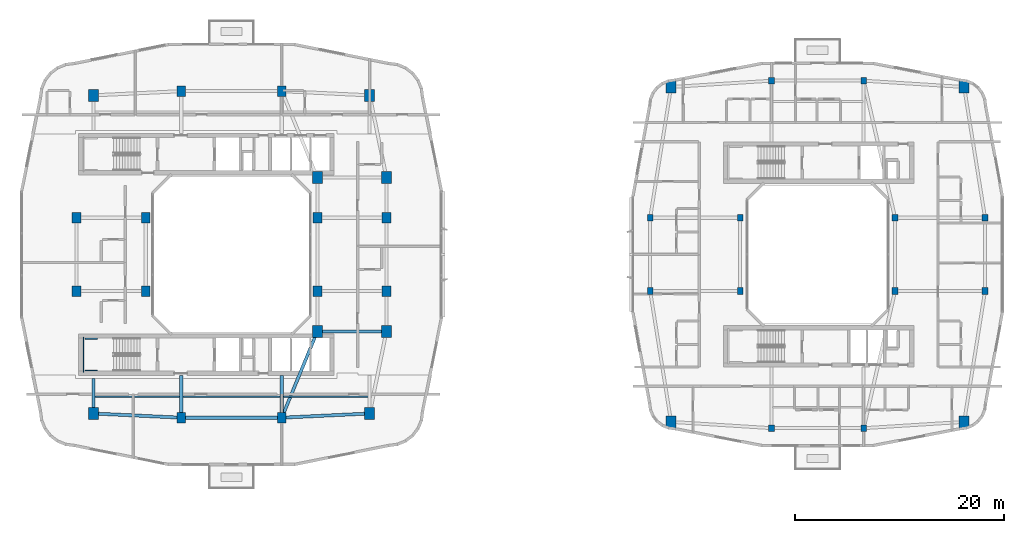
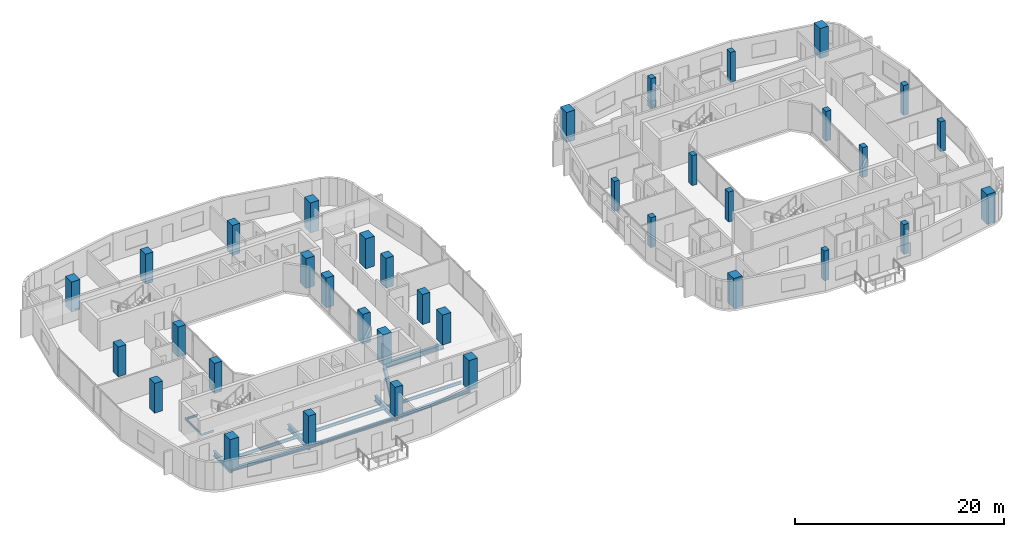
# One storey, part 1 of 22: 36 columns, 14 beams.
"""IFC4 building model written with IfcOpenShell, lengths in metres."""

from ifc_helpers import new_model, si_unit, derived_unit, direction, frame, origin, origin_2d, place, context, subcontext, project, spatial, rectangle, i_section, extrude, material, material_profile, profile_set, type_object, element, save


model = new_model("IFC4")

# Units and contexts
model_context = context("Model", 3, precision=1e-05, world=origin(), true_north=direction((0.0, 1.0)))
body_context = subcontext(model_context, "Body", "Model", "MODEL_VIEW")
ifc_project = project(units=[si_unit("LENGTHUNIT", "METRE"), si_unit("AREAUNIT", "SQUARE_METRE"), si_unit("VOLUMEUNIT", "CUBIC_METRE"), si_unit("PLANEANGLEUNIT", "RADIAN"), si_unit("MASSUNIT", "GRAM", prefix="KILO"), derived_unit("THERMALTRANSMITTANCEUNIT", [(si_unit("POWERUNIT", "WATT"), 1), (si_unit("LENGTHUNIT", "METRE"), -2), (si_unit("THERMODYNAMICTEMPERATUREUNIT", "KELVIN"), -1)])], contexts=[model_context])

# Site, building, storey
site_placement = place(None, origin())
site = spatial("IfcSite", under=ifc_project, at=site_placement, CompositionType="ELEMENT")
building_placement = place(site_placement, origin())
building = spatial("IfcBuilding", under=site, at=building_placement, Name="Kivonza Crest Hotel", CompositionType="ELEMENT")
storey_placement = place(building_placement, frame((0.0, 0.0, 112.5)))
storey = spatial("IfcBuildingStorey", under=building, at=storey_placement, Name="L30", CompositionType="ELEMENT", Elevation=112.5)

# Columns
ifc_material_1 = material(Name="Concrete C50/60", Category="concrete")
ifc_material_profile_1 = material_profile(ifc_material_1, rectangle(XDim=0.85009765625, YDim=1.0, at=origin_2d()), Name="RC 1000x850")
ifc_profile_set_1 = profile_set([ifc_material_profile_1], Name="Concrete C50/60")
column_type_1 = type_object("IfcColumnType", Name="CL-RC-1000x850", PredefinedType="COLUMN", material=ifc_profile_set_1)
for number, where, z_axis, x_axis, name in (
    (1, (16.199951171875, 9.39990234375, 0.0), (0.0, 0.0, 1.0), (1.0, 0.0, 0.0), "Tower T1 L30 column S1"),
    (2, (25.800048828125, 9.39990234375, 0.0), (0.0, 0.0, 1.0), (1.0, 0.0, 0.0), "Tower T1 L30 column S2"),
    (3, (16.199951171875, 40.60009765625, 0.0), (0.0, 0.0, 1.0), (1.0, 0.0, 0.0), "Tower T1 L30 column N1"),
    (4, (25.800048828125, 40.60009765625, 0.0), (0.0, 0.0, 1.0), (1.0, 0.0, 0.0), "Tower T1 L30 column N2"),
    (5, (6.199951171875, 21.5, 0.0), (0.0, 0.0, 1.0), (1.0, 0.0, 0.0), "Tower T1 L30 column W1"),
    (6, (6.199951171875, 28.5, 0.0), (0.0, 0.0, 1.0), (1.0, 0.0, 0.0), "Tower T1 L30 column W2"),
    (7, (35.800048828125, 21.5, 0.0), (0.0, 0.0, 1.0), (1.0, 0.0, 0.0), "Tower T1 L30 column E1"),
    (8, (35.800048828125, 28.5, 0.0), (0.0, 0.0, 1.0), (1.0, 0.0, 0.0), "Tower T1 L30 column E2"),
    (9, (12.800048828125, 21.5, 0.0), (0.0, 0.0, 1.0), (1.0, 0.0, 0.0), "Tower T1 L30 column WL1"),
    (10, (12.800048828125, 28.5, 0.0), (0.0, 0.0, 1.0), (1.0, 0.0, 0.0), "Tower T1 L30 column WL2"),
    (11, (29.199951171875, 21.5, 0.0), (0.0, 0.0, 1.0), (1.0, 0.0, 0.0), "Tower T1 L30 column WR1"),
    (12, (29.199951171875, 28.5, 0.0), (0.0, 0.0, 1.0), (1.0, 0.0, 0.0), "Tower T1 L30 column WR2"),
):
    element("IfcColumn", number, at=place(storey_placement, frame(where, z_axis=z_axis, x_axis=x_axis)), inside=storey, type_object=column_type_1, Name=name, PredefinedType="COLUMN", context=body_context, shape_type="SweptSolid", body=[
        extrude(rectangle(XDim=0.85009765625, YDim=1.0, at=origin_2d()), origin(), (0.0, 0.0, 1.0), 3.5),
    ])
ifc_material_2 = material(Name="Concrete C60/75", Category="concrete")
ifc_material_profile_2 = material_profile(ifc_material_2, rectangle(XDim=0.949951171875, YDim=1.14990234375, at=origin_2d()), Name="RC 1150x950")
ifc_profile_set_2 = profile_set([ifc_material_profile_2], Name="Concrete C60/75")
column_type_2 = type_object("IfcColumnType", Name="CL-RC-1150x950", PredefinedType="COLUMN", material=ifc_profile_set_2)
for number, where, z_axis, x_axis, name in (
    (13, (7.800048828125, 9.800048828125, 0.0), (0.0, 0.0, 1.0), (1.0, 0.0, 0.0), "Tower T1 L30 column SW"),
    (14, (34.199951171875, 9.800048828125, 0.0), (0.0, 0.0, 1.0), (1.0, 0.0, 0.0), "Tower T1 L30 column SE"),
    (15, (34.199951171875, 40.199951171875, 0.0), (0.0, 0.0, 1.0), (1.0, 0.0, 0.0), "Tower T1 L30 column NE"),
    (16, (7.800048828125, 40.199951171875, 0.0), (0.0, 0.0, 1.0), (1.0, 0.0, 0.0), "Tower T1 L30 column NW"),
    (17, (35.800048828125, 17.64990234375, 0.0), (0.0, 0.0, 1.0), (1.0, 0.0, 0.0), "Tower T1 L30 column PSE"),
    (18, (35.800048828125, 32.35009765625, 0.0), (0.0, 0.0, 1.0), (1.0, 0.0, 0.0), "Tower T1 L30 column PNE"),
    (19, (29.199951171875, 17.64990234375, 0.0), (0.0, 0.0, 1.0), (1.0, 0.0, 0.0), "Tower T1 L30 column TSE"),
    (20, (29.199951171875, 32.35009765625, 0.0), (0.0, 0.0, 1.0), (1.0, 0.0, 0.0), "Tower T1 L30 column TNE"),
    (21, (63.0, 9.0, 0.0), (0.0, 0.0, 1.0), (1.0, 0.0, 0.0), "Companion Tower T2 L30 column SW"),
    (22, (91.0, 9.0, 0.0), (0.0, 0.0, 1.0), (1.0, 0.0, 0.0), "Companion Tower T2 L30 column SE"),
    (23, (91.0, 41.0, 0.0), (0.0, 0.0, 1.0), (1.0, 0.0, 0.0), "Companion Tower T2 L30 column NE"),
    (24, (63.0, 41.0, 0.0), (0.0, 0.0, 1.0), (1.0, 0.0, 0.0), "Companion Tower T2 L30 column NW"),
):
    element("IfcColumn", number, at=place(storey_placement, frame(where, z_axis=z_axis, x_axis=x_axis)), inside=storey, type_object=column_type_2, Name=name, PredefinedType="COLUMN", context=body_context, shape_type="SweptSolid", body=[
        extrude(rectangle(XDim=0.949951171875, YDim=1.14990234375, at=origin_2d()), origin(), (0.0, 0.0, 1.0), 3.5),
    ])
ifc_material_profile_3 = material_profile(ifc_material_1, rectangle(XDim=0.550048828125, YDim=0.64990234375, at=origin_2d()), Name="RC 650x550")
ifc_profile_set_3 = profile_set([ifc_material_profile_3], Name="Concrete C50/60")
column_type_3 = type_object("IfcColumnType", Name="CL-RC-650x550", PredefinedType="COLUMN", material=ifc_profile_set_3)
for number, where, z_axis, x_axis, name in (
    (25, (72.60009765625, 8.39990234375, 0.0), (0.0, 0.0, 1.0), (1.0, 0.0, 0.0), "Companion Tower T2 L30 column S1"),
    (26, (81.39990234375, 8.39990234375, 0.0), (0.0, 0.0, 1.0), (1.0, 0.0, 0.0), "Companion Tower T2 L30 column S2"),
    (27, (72.60009765625, 41.60009765625, 0.0), (0.0, 0.0, 1.0), (1.0, 0.0, 0.0), "Companion Tower T2 L30 column N1"),
    (28, (81.39990234375, 41.60009765625, 0.0), (0.0, 0.0, 1.0), (1.0, 0.0, 0.0), "Companion Tower T2 L30 column N2"),
    (29, (61.0, 21.5, 0.0), (0.0, 0.0, 1.0), (1.0, 0.0, 0.0), "Companion Tower T2 L30 column W1"),
    (30, (61.0, 28.5, 0.0), (0.0, 0.0, 1.0), (1.0, 0.0, 0.0), "Companion Tower T2 L30 column W2"),
    (31, (93.0, 21.5, 0.0), (0.0, 0.0, 1.0), (1.0, 0.0, 0.0), "Companion Tower T2 L30 column E1"),
    (32, (93.0, 28.5, 0.0), (0.0, 0.0, 1.0), (1.0, 0.0, 0.0), "Companion Tower T2 L30 column E2"),
    (33, (69.60009765625, 21.5, 0.0), (0.0, 0.0, 1.0), (1.0, 0.0, 0.0), "Companion Tower T2 L30 column WL1"),
    (34, (69.60009765625, 28.5, 0.0), (0.0, 0.0, 1.0), (1.0, 0.0, 0.0), "Companion Tower T2 L30 column WL2"),
    (35, (84.39990234375, 21.5, 0.0), (0.0, 0.0, 1.0), (1.0, 0.0, 0.0), "Companion Tower T2 L30 column WR1"),
    (36, (84.39990234375, 28.5, 0.0), (0.0, 0.0, 1.0), (1.0, 0.0, 0.0), "Companion Tower T2 L30 column WR2"),
):
    element("IfcColumn", number, at=place(storey_placement, frame(where, z_axis=z_axis, x_axis=x_axis)), inside=storey, type_object=column_type_3, Name=name, PredefinedType="COLUMN", context=body_context, shape_type="SweptSolid", body=[
        extrude(rectangle(XDim=0.550048828125, YDim=0.64990234375, at=origin_2d()), origin(), (0.0, 0.0, 1.0), 3.5),
    ])

# Beams
ifc_material_3 = material(Name="Steel S355", Category="steel")
ifc_material_profile_4 = material_profile(ifc_material_3, i_section(OverallWidth=0.300048828125, OverallDepth=0.360107421875, WebThickness=0.012451171875, FlangeThickness=0.0224609375, FilletRadius=0.027099609375, at=origin_2d()), Name="HEB 360")
ifc_profile_set_4 = profile_set([ifc_material_profile_4], Name="Steel S355")
beam_type_1 = type_object("IfcBeamType", Name="BM-HEB360", PredefinedType="SPANDREL", material=ifc_profile_set_4)
beam_1_placement = place(storey_placement, frame((16.199951171875, 9.39990234375, -0.4599609375), z_axis=(1.0, 0.0, 0.0), x_axis=(0.0, 1.0, 0.0)))
element("IfcBeam", 37, at=beam_1_placement, inside=storey, type_object=beam_type_1, Name="Tower T1 L30 perimeter spandrel S1-S2", PredefinedType="SPANDREL", context=body_context, shape_type="SweptSolid", body=[
    extrude(i_section(OverallWidth=0.300048828125, OverallDepth=0.360107421875, WebThickness=0.012451171875, FlangeThickness=0.0224609375, FilletRadius=0.027099609375, at=origin_2d()), origin(), (0.0, 0.0, 1.0), 9.60009765625),
])
for number, where, z_axis, x_axis, name in (
    (38, (25.800048828125, 9.39990234375, -0.4599609375), (0.998867283688, 0.047583080799, 0.0), (-0.047583080799, 0.998867283688, 0.0), "Tower T1 L30 perimeter spandrel S2-SE"),
    (39, (7.800048828125, 9.800048828125, -0.4599609375), (0.998867283688, -0.047583080799, 0.0), (0.047583080799, 0.998867283688, 0.0), "Tower T1 L30 perimeter spandrel SW-S1"),
):
    element("IfcBeam", number, at=place(storey_placement, frame(where, z_axis=z_axis, x_axis=x_axis)), inside=storey, type_object=beam_type_1, Name=name, PredefinedType="SPANDREL", context=body_context, shape_type="SweptSolid", body=[
        extrude(i_section(OverallWidth=0.300048828125, OverallDepth=0.360107421875, WebThickness=0.012451171875, FlangeThickness=0.0224609375, FilletRadius=0.027099609375, at=origin_2d()), origin(), (0.0, 0.0, 1.0), 8.409423828125),
    ])
ifc_material_profile_5 = material_profile(ifc_material_3, i_section(OverallWidth=0.300048828125, OverallDepth=0.60009765625, WebThickness=0.015380859375, FlangeThickness=0.030029296875, FilletRadius=0.027099609375, at=origin_2d()), Name="HEB 600")
ifc_profile_set_5 = profile_set([ifc_material_profile_5], Name="Steel S355")
beam_type_2 = type_object("IfcBeamType", Name="BM-HEB600", PredefinedType="BEAM", material=ifc_profile_set_5)
beam_2_placement = place(storey_placement, frame((25.800048828125, 9.39990234375, -0.580078125), z_axis=(0.381022260404, 0.924565864109, 0.0), x_axis=(-0.924565864109, 0.381022260404, 0.0)))
element("IfcBeam", 40, at=beam_2_placement, inside=storey, type_object=beam_type_2, Name="Tower T1 L30 primary girder S1-TSE", PredefinedType="BEAM", context=body_context, shape_type="SweptSolid", body=[
    extrude(i_section(OverallWidth=0.300048828125, OverallDepth=0.60009765625, WebThickness=0.015380859375, FlangeThickness=0.030029296875, FilletRadius=0.027099609375, at=origin_2d()), origin(), (0.0, 0.0, 1.0), 8.923095703125),
])
beam_3_placement = place(storey_placement, frame((29.199951171875, 17.64990234375, -0.580078125), z_axis=(1.0, 0.0, 0.0), x_axis=(0.0, 1.0, 0.0)))
element("IfcBeam", 41, at=beam_3_placement, inside=storey, type_object=beam_type_2, Name="Tower T1 L30 primary girder TSE-PSE", PredefinedType="BEAM", context=body_context, shape_type="SweptSolid", body=[
    extrude(i_section(OverallWidth=0.300048828125, OverallDepth=0.60009765625, WebThickness=0.015380859375, FlangeThickness=0.030029296875, FilletRadius=0.027099609375, at=origin_2d()), origin(), (0.0, 0.0, 1.0), 6.60009765625),
])
beam_4_placement = place(storey_placement, frame((7.800048828125, 9.800048828125, -0.580078125), z_axis=(0.0, 1.0, 0.0), x_axis=(-1.0, 0.0, 0.0)))
element("IfcBeam", 42, at=beam_4_placement, inside=storey, type_object=beam_type_2, Name="Tower T1 L30 radial core girder RSW", PredefinedType="BEAM", context=body_context, shape_type="SweptSolid", body=[
    extrude(i_section(OverallWidth=0.300048828125, OverallDepth=0.60009765625, WebThickness=0.015380859375, FlangeThickness=0.030029296875, FilletRadius=0.027099609375, at=origin_2d()), origin(), (0.0, 0.0, 1.0), 3.349853515625),
])
for number, where, z_axis, x_axis, name in (
    (43, (16.199951171875, 9.39990234375, -0.580078125), (0.0, 1.0, 0.0), (-1.0, 0.0, 0.0), "Tower T1 L30 radial core girder RS1"),
    (44, (25.800048828125, 9.39990234375, -0.580078125), (0.0, 1.0, 0.0), (-1.0, 0.0, 0.0), "Tower T1 L30 radial core girder RS2"),
):
    element("IfcBeam", number, at=place(storey_placement, frame(where, z_axis=z_axis, x_axis=x_axis)), inside=storey, type_object=beam_type_2, Name=name, PredefinedType="BEAM", context=body_context, shape_type="SweptSolid", body=[
        extrude(i_section(OverallWidth=0.300048828125, OverallDepth=0.60009765625, WebThickness=0.015380859375, FlangeThickness=0.030029296875, FilletRadius=0.027099609375, at=origin_2d()), origin(), (0.0, 0.0, 1.0), 4.050048828125),
    ])
ifc_material_profile_6 = material_profile(ifc_material_3, i_section(OverallWidth=0.169921875, OverallDepth=0.360107421875, WebThickness=0.008056640625, FlangeThickness=0.0126953125, FilletRadius=0.01806640625, at=origin_2d()), Name="IPE 360")
ifc_profile_set_6 = profile_set([ifc_material_profile_6], Name="Steel S355")
beam_type_3 = type_object("IfcBeamType", Name="BM-IPE360", PredefinedType="JOIST", material=ifc_profile_set_6)
beam_5_placement = place(storey_placement, frame((7.8798828125, 11.39990234375, -0.4599609375), z_axis=(1.0, 0.0, 0.0), x_axis=(0.0, 1.0, 0.0)))
element("IfcBeam", 45, at=beam_5_placement, inside=storey, type_object=beam_type_3, Name="Tower T1 L30 South-West floor joist", PredefinedType="JOIST", context=body_context, shape_type="SweptSolid", body=[
    extrude(i_section(OverallWidth=0.169921875, OverallDepth=0.360107421875, WebThickness=0.008056640625, FlangeThickness=0.0126953125, FilletRadius=0.01806640625, at=origin_2d()), origin(), (0.0, 0.0, 1.0), 8.240234375),
])
beam_6_placement = place(storey_placement, frame((16.280029296875, 11.39990234375, -0.4599609375), z_axis=(1.0, 0.0, 0.0), x_axis=(0.0, 1.0, 0.0)))
element("IfcBeam", 46, at=beam_6_placement, inside=storey, type_object=beam_type_3, Name="Tower T1 L30 South-Mid floor joist", PredefinedType="JOIST", context=body_context, shape_type="SweptSolid", body=[
    extrude(i_section(OverallWidth=0.169921875, OverallDepth=0.360107421875, WebThickness=0.008056640625, FlangeThickness=0.0126953125, FilletRadius=0.01806640625, at=origin_2d()), origin(), (0.0, 0.0, 1.0), 9.43994140625),
])
beam_7_placement = place(storey_placement, frame((25.8798828125, 11.39990234375, -0.4599609375), z_axis=(1.0, 0.0, 0.0), x_axis=(0.0, 1.0, 0.0)))
element("IfcBeam", 47, at=beam_7_placement, inside=storey, type_object=beam_type_3, Name="Tower T1 L30 South-East floor joist", PredefinedType="JOIST", context=body_context, shape_type="SweptSolid", body=[
    extrude(i_section(OverallWidth=0.169921875, OverallDepth=0.360107421875, WebThickness=0.008056640625, FlangeThickness=0.0126953125, FilletRadius=0.01806640625, at=origin_2d()), origin(), (0.0, 0.0, 1.0), 8.240234375),
])
ifc_material_profile_7 = material_profile(ifc_material_3, i_section(OverallWidth=0.1201171875, OverallDepth=0.239990234375, WebThickness=0.006103515625, FlangeThickness=0.009765625, FilletRadius=0.014892578125, at=origin_2d()), Name="IPE 240")
ifc_profile_set_7 = profile_set([ifc_material_profile_7], Name="Steel S355")
beam_type_4 = type_object("IfcBeamType", Name="BM-LLDG-240", PredefinedType="BEAM", material=ifc_profile_set_7)
beam_8_placement = place(storey_placement, frame((6.860107421875, 13.739990234375, 1.429931640625), z_axis=(0.0, 1.0, 0.0), x_axis=(-1.0, 0.0, 0.0)))
element("IfcBeam", 48, at=beam_8_placement, inside=storey, type_object=beam_type_4, Name="Stair ST-T1-S L30 West landing corbel", PredefinedType="BEAM", context=body_context, shape_type="SweptSolid", body=[
    extrude(i_section(OverallWidth=0.1201171875, OverallDepth=0.239990234375, WebThickness=0.006103515625, FlangeThickness=0.009765625, FilletRadius=0.014892578125, at=origin_2d()), origin(), (0.0, 0.0, 1.0), 3.360107421875),
])
for number, where, z_axis, x_axis, name in (
    (49, (6.989990234375, 13.89990234375, 1.429931640625), (1.0, 0.0, 0.0), (0.0, 1.0, 0.0), "Stair ST-T1-S L30 South landing corbel"),
    (50, (6.989990234375, 16.93994140625, 1.429931640625), (1.0, 0.0, 0.0), (0.0, 1.0, 0.0), "Stair ST-T1-S L30 North landing corbel"),
):
    element("IfcBeam", number, at=place(storey_placement, frame(where, z_axis=z_axis, x_axis=x_axis)), inside=storey, type_object=beam_type_4, Name=name, PredefinedType="BEAM", context=body_context, shape_type="SweptSolid", body=[
        extrude(i_section(OverallWidth=0.1201171875, OverallDepth=0.239990234375, WebThickness=0.006103515625, FlangeThickness=0.009765625, FilletRadius=0.014892578125, at=origin_2d()), origin(), (0.0, 0.0, 1.0), 1.2099609375),
    ])

save(model, "model.ifc")
